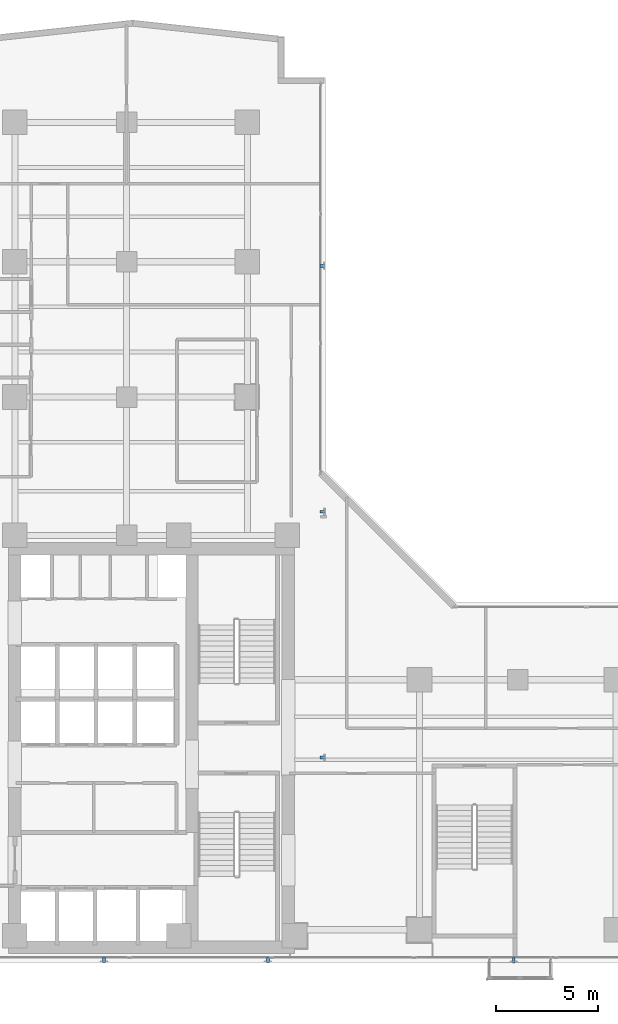
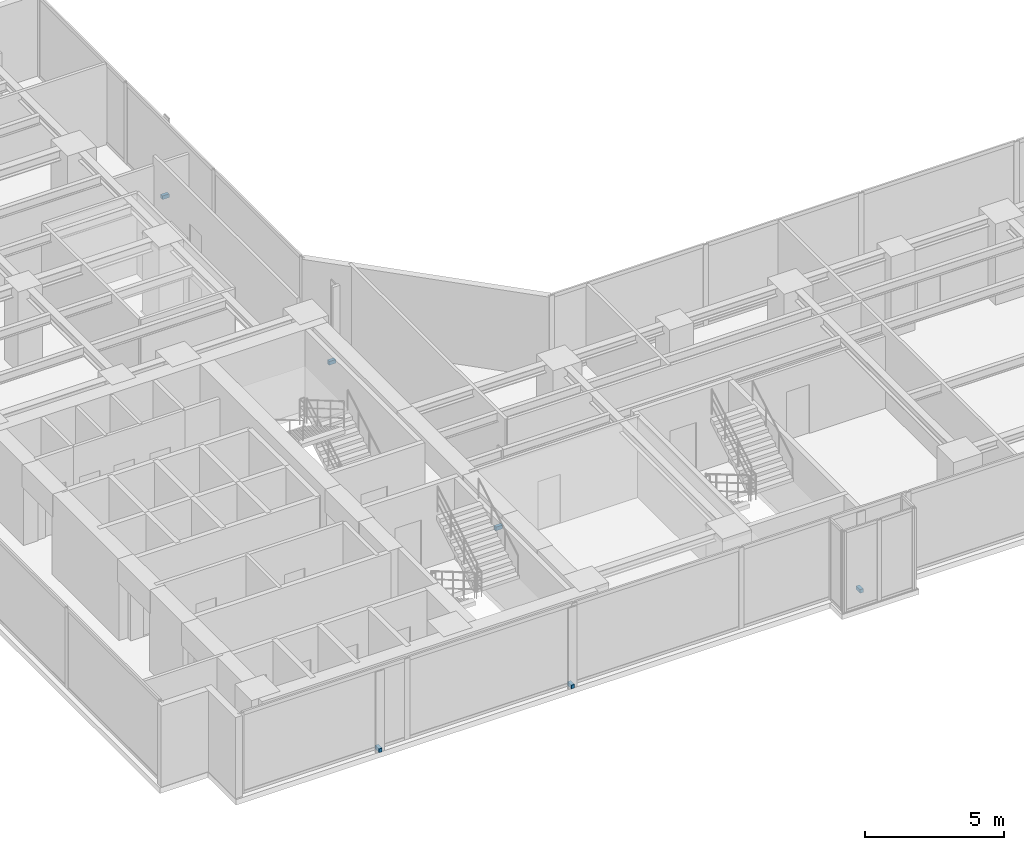
# One storey, part 22 of 24: 6 discrete accessories.
"""IFC4 building model written with IfcOpenShell, lengths in metres."""

from ifc_helpers import new_model, si_unit, direction, frame, origin, origin_with_axes, origin_2d, place, context, subcontext, project, spatial, rectangle, extrude, source, transform, mapped, material, type_object, element, save


model = new_model("IFC4")

# Units and contexts
model_context = context("Model", 3, precision=1e-05, world=origin(), true_north=direction((0.0, 1.0)))
body_context = subcontext(model_context, "Body", "Model", "MODEL_VIEW")
ifc_project = project(units=[si_unit("LENGTHUNIT", "METRE"), si_unit("AREAUNIT", "SQUARE_METRE"), si_unit("VOLUMEUNIT", "CUBIC_METRE"), si_unit("PLANEANGLEUNIT", "RADIAN"), si_unit("MASSUNIT", "GRAM", prefix="KILO")], contexts=[model_context])

# Site, building, storey
site_placement = place(None, origin())
site = spatial("IfcSite", under=ifc_project, at=site_placement, CompositionType="ELEMENT")
building_placement = place(site_placement, origin())
building = spatial("IfcBuilding", under=site, at=building_placement, Name="Kolvaren Waterfront Exchange", CompositionType="ELEMENT")
storey_placement = place(building_placement, frame((0.0, 0.0, 172.800048828125)))
storey = spatial("IfcBuildingStorey", under=building, at=storey_placement, Name="L44", CompositionType="ELEMENT", Elevation=172.800048828125)

# Discrete accessories
ifc_material = material(Name="Stainless steel 316", Category="steel")
discrete_accessory_type = type_object("IfcDiscreteAccessoryType", Name="ARC-BRK-FIN", PredefinedType="BRACKET", material=ifc_material)
shared_shape = source(origin_with_axes(), body_context, "Body", "SweptSolid", [
    extrude(rectangle(XDim=0.280029296875, YDim=0.139892578125, at=origin_2d()), origin(), (0.0, 0.0, 1.0), 0.159912109375),
])
for number, where, z_axis, x_axis, name in (
    (1, (11.800048828125, 3.719970703125, 0.0), (0.0, 0.0, 1.0), (0.0, -1.0, 0.0), "L44 bronze fin anchor bracket FIN-L44-S1"),
    (2, (19.800048828125, 3.719970703125, 0.0), (0.0, 0.0, 1.0), (0.0, -1.0, 0.0), "L44 bronze fin anchor bracket FIN-L44-S2"),
    (3, (31.800048828125, 3.719970703125, 0.0), (0.0, 0.0, 1.0), (0.0, -1.0, 0.0), "L44 bronze fin anchor bracket FIN-L44-S3"),
    (4, (22.47998046875, 13.60009765625, 0.0), (0.0, 0.0, 1.0), (1.0, 0.0, 0.0), "L44 bronze fin anchor bracket FIN-L44-E1"),
    (5, (22.47998046875, 25.60009765625, 0.0), (0.0, 0.0, 1.0), (1.0, 0.0, 0.0), "L44 bronze fin anchor bracket FIN-L44-E2"),
    (6, (22.47998046875, 37.60009765625, 0.0), (0.0, 0.0, 1.0), (1.0, 0.0, 0.0), "L44 bronze fin anchor bracket FIN-L44-E3"),
):
    element("IfcDiscreteAccessory", number, at=place(storey_placement, frame(where, z_axis=z_axis, x_axis=x_axis)), inside=storey, type_object=discrete_accessory_type, Name=name, PredefinedType="BRACKET", context=body_context, shape_type="MappedRepresentation", body=[
        mapped(shared_shape, transform((0.0, 0.0, 0.0), x_axis=(1.0, 0.0, 0.0), y_axis=(0.0, 1.0, 0.0), z_axis=(0.0, 0.0, 1.0), scale=1.0)),
    ])

save(model, "model.ifc")
